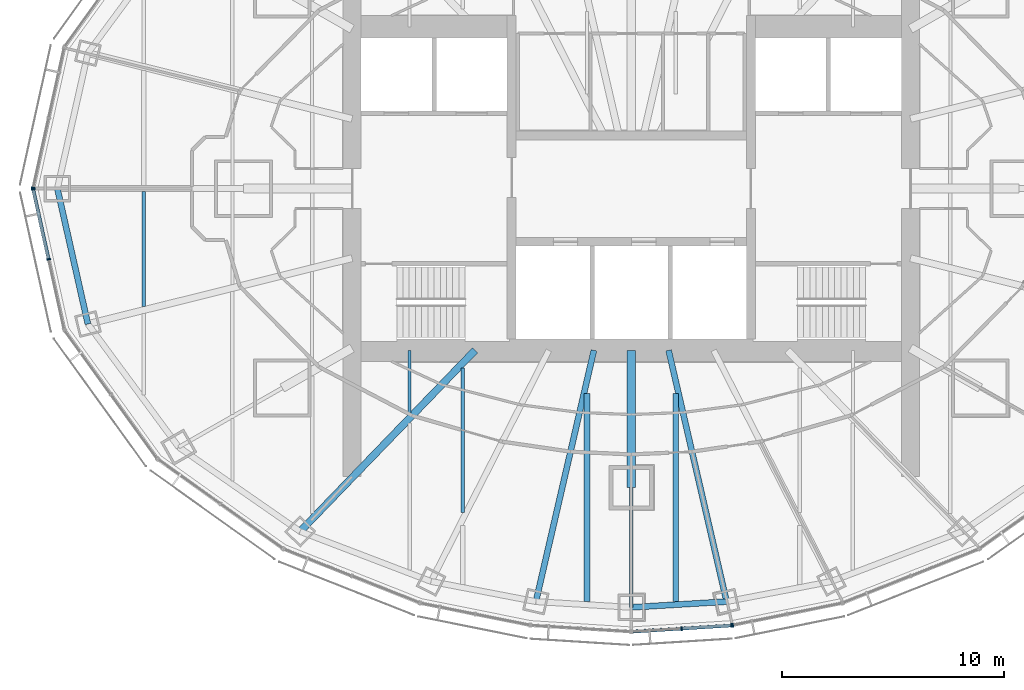
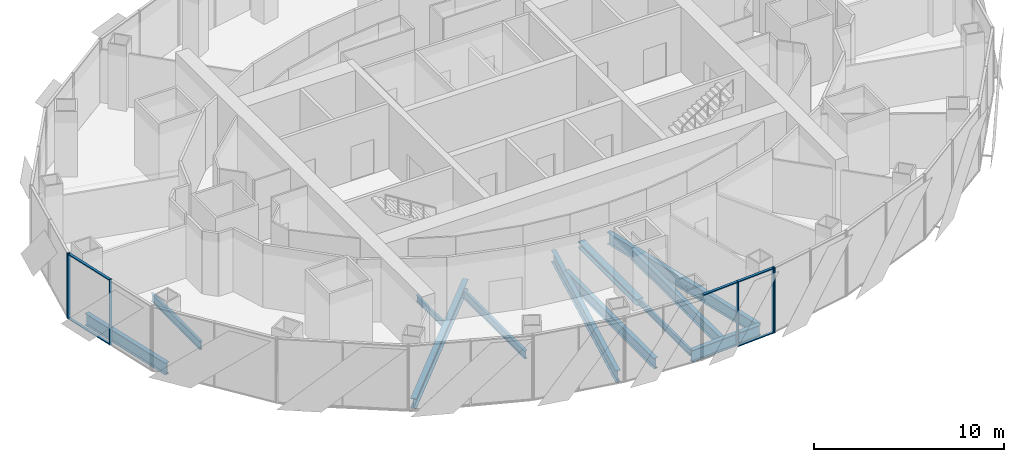
# One storey, part 3 of 17: 12 beams, 11 members, 4 elements without a shape of their own.
"""IFC4 building model written with IfcOpenShell, lengths in metres."""

from ifc_helpers import new_model, si_unit, direction, frame, origin, origin_2d, place, context, subcontext, project, spatial, rectangle, i_section, extrude, material, material_profile, profile_set, type_object, element, aggregate, save


model = new_model("IFC4")

# Units and contexts
model_context = context("Model", 3, precision=1e-05, world=origin(), true_north=direction((0.0, 1.0)))
body_context = subcontext(model_context, "Body", "Model", "MODEL_VIEW")
ifc_project = project(units=[si_unit("LENGTHUNIT", "METRE"), si_unit("AREAUNIT", "SQUARE_METRE"), si_unit("VOLUMEUNIT", "CUBIC_METRE"), si_unit("PLANEANGLEUNIT", "RADIAN"), si_unit("MASSUNIT", "GRAM", prefix="KILO")], contexts=[model_context])

# Site, building, storey
site_placement = place(None, origin())
site = spatial("IfcSite", under=ifc_project, at=site_placement, CompositionType="ELEMENT")
building_placement = place(site_placement, origin())
building = spatial("IfcBuilding", under=site, at=building_placement, Name="Lantaw Convention Tower", CompositionType="ELEMENT")
storey_placement = place(building_placement, frame((0.0, 0.0, 220.0)))
storey = spatial("IfcBuildingStorey", under=building, at=storey_placement, Name="L51", CompositionType="ELEMENT", Elevation=220.0)

# Beams
ifc_material_1 = material(Name="Steel ASTM A992", Category="steel")
ifc_material_profile_1 = material_profile(ifc_material_1, i_section(OverallWidth=0.2666015625, OverallDepth=0.76953125, WebThickness=0.015625, FlangeThickness=0.025390625, FilletRadius=0.0126953125, at=origin_2d()), Name="W30X132")
ifc_profile_set_1 = profile_set([ifc_material_profile_1], Name="Steel ASTM A992")
beam_type_1 = type_object("IfcBeamType", Name="Beam E W30X132", PredefinedType="SPANDREL", material=ifc_profile_set_1)
beam_1_placement = place(storey_placement, frame((-25.89990234375, 0.0, -0.534912109375), z_axis=(0.219857926596, -0.97553190215, 0.0), x_axis=(0.97553190215, 0.219857926596, 0.0)))
element("IfcBeam", 1, at=beam_1_placement, inside=storey, type_object=beam_type_1, Name="Edge beam 13", PredefinedType="SPANDREL", context=body_context, shape_type="SweptSolid", body=[
    extrude(i_section(OverallWidth=0.2666015625, OverallDepth=0.76953125, WebThickness=0.015625, FlangeThickness=0.025390625, FilletRadius=0.0126953125, at=origin_2d()), origin(), (0.0, 0.0, 1.0), 6.267333984375),
])
beam_2_placement = place(storey_placement, frame((0.0, -18.89990234375, -0.534912109375), z_axis=(0.998210730897, 0.059794119452, 0.0), x_axis=(-0.059794119452, 0.998210730897, 0.0)))
element("IfcBeam", 2, at=beam_2_placement, inside=storey, type_object=beam_type_1, Name="Edge beam 19", PredefinedType="SPANDREL", context=body_context, shape_type="SweptSolid", body=[
    extrude(i_section(OverallWidth=0.2666015625, OverallDepth=0.76953125, WebThickness=0.015625, FlangeThickness=0.025390625, FilletRadius=0.0126953125, at=origin_2d()), origin(), (0.0, 0.0, 1.0), 4.311767578125),
])
ifc_material_profile_2 = material_profile(ifc_material_1, i_section(OverallWidth=0.140380859375, OverallDepth=0.40380859375, WebThickness=0.007080078125, FlangeThickness=0.01123046875, FilletRadius=0.01025390625, at=origin_2d()), Name="W16X31")
ifc_profile_set_2 = profile_set([ifc_material_profile_2], Name="Steel ASTM A992")
beam_type_2 = type_object("IfcBeamType", Name="Beam G W16X31", PredefinedType="BEAM", material=ifc_profile_set_2)
beam_3_placement = place(storey_placement, frame((0.0, -13.5, -0.35205078125), z_axis=(0.0, -1.0, 0.0), x_axis=(1.0, 0.0, 0.0)))
element("IfcBeam", 3, at=beam_3_placement, inside=storey, type_object=beam_type_2, Name="Floor girder on ray 19", PredefinedType="BEAM", context=body_context, shape_type="SweptSolid", body=[
    extrude(i_section(OverallWidth=0.140380859375, OverallDepth=0.40380859375, WebThickness=0.007080078125, FlangeThickness=0.01123046875, FilletRadius=0.01025390625, at=origin_2d()), origin(), (0.0, 0.0, 1.0), 5.39990234375),
])
ifc_material_profile_3 = material_profile(ifc_material_1, i_section(OverallWidth=0.32763671875, OverallDepth=0.64013671875, WebThickness=0.01904296875, FlangeThickness=0.033935546875, FilletRadius=0.0126953125, at=origin_2d()), Name="W24X176")
ifc_profile_set_3 = profile_set([ifc_material_profile_3], Name="Steel ASTM A992")
beam_type_3 = type_object("IfcBeamType", Name="Beam G W24X176", PredefinedType="BEAM", material=ifc_profile_set_3)
beam_4_placement = place(storey_placement, frame((-7.049560546875, -7.300048828125, -0.469970703125), z_axis=(-0.694657766726, -0.719340383356, 0.0), x_axis=(0.719340383356, -0.694657766726, 0.0)))
element("IfcBeam", 4, at=beam_4_placement, inside=storey, type_object=beam_type_3, Name="Floor girder on ray 16", PredefinedType="BEAM", context=body_context, shape_type="SweptSolid", body=[
    extrude(i_section(OverallWidth=0.32763671875, OverallDepth=0.64013671875, WebThickness=0.01904296875, FlangeThickness=0.033935546875, FilletRadius=0.0126953125, at=origin_2d()), origin(), (0.0, 0.0, 1.0), 11.364990234375),
])
ifc_material_profile_4 = material_profile(ifc_material_1, i_section(OverallWidth=0.2666015625, OverallDepth=0.7568359375, WebThickness=0.013916015625, FlangeThickness=0.019287109375, FilletRadius=0.0126953125, at=origin_2d()), Name="W30X108")
ifc_profile_set_4 = profile_set([ifc_material_profile_4], Name="Steel ASTM A992")
beam_type_4 = type_object("IfcBeamType", Name="Beam G W30X108", PredefinedType="BEAM", material=ifc_profile_set_4)
for number, where, z_axis, x_axis, name in (
    (5, (-1.685302734375, -7.300048828125, -0.528564453125), (-0.224962134377, -0.974367506692, 0.0), (0.974367506692, -0.224962134377, 0.0), "Floor girder on ray 18"),
    (6, (1.685302734375, -7.300048828125, -0.528564453125), (0.224962134377, -0.974367506692, 0.0), (0.974367506692, 0.224962134377, 0.0), "Floor girder on ray 20"),
):
    element("IfcBeam", number, at=place(storey_placement, frame(where, z_axis=z_axis, x_axis=x_axis)), inside=storey, type_object=beam_type_4, Name=name, PredefinedType="BEAM", context=body_context, shape_type="SweptSolid", body=[
        extrude(i_section(OverallWidth=0.2666015625, OverallDepth=0.7568359375, WebThickness=0.013916015625, FlangeThickness=0.019287109375, FilletRadius=0.0126953125, at=origin_2d()), origin(), (0.0, 0.0, 1.0), 11.640380859375),
    ])
ifc_material_profile_5 = material_profile(ifc_material_1, i_section(OverallWidth=0.40380859375, OverallDepth=0.406494140625, WebThickness=0.027099609375, FlangeThickness=0.043701171875, FilletRadius=0.01513671875, at=origin_2d()), Name="W14X233")
ifc_profile_set_5 = profile_set([ifc_material_profile_5], Name="Steel ASTM A992")
beam_type_5 = type_object("IfcBeamType", Name="Beam GM W14X233", PredefinedType="BEAM", material=ifc_profile_set_5)
beam_5_placement = place(storey_placement, frame((0.0, -7.300048828125, -0.353271484375), z_axis=(0.0, -1.0, 0.0), x_axis=(1.0, 0.0, 0.0)))
element("IfcBeam", 7, at=beam_5_placement, inside=storey, type_object=beam_type_5, Name="Core link beam on ray 19", PredefinedType="BEAM", context=body_context, shape_type="SweptSolid", body=[
    extrude(i_section(OverallWidth=0.40380859375, OverallDepth=0.406494140625, WebThickness=0.027099609375, FlangeThickness=0.043701171875, FilletRadius=0.01513671875, at=origin_2d()), origin(), (0.0, 0.0, 1.0), 6.199951171875),
])
ifc_material_profile_6 = material_profile(ifc_material_1, i_section(OverallWidth=0.140380859375, OverallDepth=0.40380859375, WebThickness=0.007080078125, FlangeThickness=0.01123046875, FilletRadius=0.01025390625, at=origin_2d()), Name="W16X31")
ifc_profile_set_6 = profile_set([ifc_material_profile_6], Name="Steel ASTM A992")
beam_type_6 = type_object("IfcBeamType", Name="Beam J W16X31", PredefinedType="JOIST", material=ifc_profile_set_6)
beam_6_placement = place(storey_placement, frame((-10.0, -10.119384765625, -0.35205078125), z_axis=(0.0, 1.0, 0.0), x_axis=(-1.0, 0.0, 0.0)))
element("IfcBeam", 8, at=beam_6_placement, inside=storey, type_object=beam_type_6, Name="Floor joist", PredefinedType="JOIST", context=body_context, shape_type="SweptSolid", body=[
    extrude(i_section(OverallWidth=0.140380859375, OverallDepth=0.40380859375, WebThickness=0.007080078125, FlangeThickness=0.01123046875, FilletRadius=0.01025390625, at=origin_2d()), origin(), (0.0, 0.0, 1.0), 2.8193359375),
])
ifc_material_profile_7 = material_profile(ifc_material_1, i_section(OverallWidth=0.1650390625, OverallDepth=0.52587890625, WebThickness=0.0087890625, FlangeThickness=0.011474609375, FilletRadius=0.0126953125, at=origin_2d()), Name="W21X44")
ifc_profile_set_7 = profile_set([ifc_material_profile_7], Name="Steel ASTM A992")
beam_type_7 = type_object("IfcBeamType", Name="Beam J W21X44", PredefinedType="JOIST", material=ifc_profile_set_7)
beam_7_placement = place(storey_placement, frame((-22.0, -5.326904296875, -0.412841796875), z_axis=(0.0, 1.0, 0.0), x_axis=(-1.0, 0.0, 0.0)))
element("IfcBeam", 9, at=beam_7_placement, inside=storey, type_object=beam_type_7, Name="Floor joist", PredefinedType="JOIST", context=body_context, shape_type="SweptSolid", body=[
    extrude(i_section(OverallWidth=0.1650390625, OverallDepth=0.52587890625, WebThickness=0.0087890625, FlangeThickness=0.011474609375, FilletRadius=0.0126953125, at=origin_2d()), origin(), (0.0, 0.0, 1.0), 5.199951171875),
])
beam_8_placement = place(storey_placement, frame((-7.60009765625, -14.6220703125, -0.412841796875), z_axis=(0.0, 1.0, 0.0), x_axis=(-1.0, 0.0, 0.0)))
element("IfcBeam", 10, at=beam_8_placement, inside=storey, type_object=beam_type_7, Name="Floor joist", PredefinedType="JOIST", context=body_context, shape_type="SweptSolid", body=[
    extrude(i_section(OverallWidth=0.1650390625, OverallDepth=0.52587890625, WebThickness=0.0087890625, FlangeThickness=0.011474609375, FilletRadius=0.0126953125, at=origin_2d()), origin(), (0.0, 0.0, 1.0), 6.51611328125),
])
ifc_material_profile_8 = material_profile(ifc_material_1, i_section(OverallWidth=0.25390625, OverallDepth=0.683349609375, WebThickness=0.012451171875, FlangeThickness=0.01904296875, FilletRadius=0.01513671875, at=origin_2d()), Name="W27X94")
ifc_profile_set_8 = profile_set([ifc_material_profile_8], Name="Steel ASTM A992")
beam_type_8 = type_object("IfcBeamType", Name="Beam J W27X94", PredefinedType="JOIST", material=ifc_profile_set_8)
for number, where, z_axis, x_axis, name in (
    (11, (-2.0, -18.646484375, -0.49169921875), (0.0, 1.0, 0.0), (-1.0, 0.0, 0.0), "Floor joist"),
    (12, (2.0, -18.646484375, -0.49169921875), (0.0, 1.0, 0.0), (-1.0, 0.0, 0.0), "Floor joist"),
):
    element("IfcBeam", number, at=place(storey_placement, frame(where, z_axis=z_axis, x_axis=x_axis)), inside=storey, type_object=beam_type_8, Name=name, PredefinedType="JOIST", context=body_context, shape_type="SweptSolid", body=[
        extrude(i_section(OverallWidth=0.25390625, OverallDepth=0.683349609375, WebThickness=0.012451171875, FlangeThickness=0.01904296875, FilletRadius=0.01513671875, at=origin_2d()), origin(), (0.0, 0.0, 1.0), 9.390625),
    ])

# Curtain wall, member
ifc_material_2 = material(Name="Aluminium framed curtain wall", Category="aluminium")
curtain_wall_type = type_object("IfcCurtainWallType", Name="Office curtain wall high rise, pale aluminium", PredefinedType="USERDEFINED", material=ifc_material_2)
curtain_wall_1_placement = place(storey_placement, origin())
curtain_wall_1 = element("IfcCurtainWall", 13, at=curtain_wall_1_placement, inside=storey, type_object=curtain_wall_type, Name="Office curtain wall high rise, pale aluminium L51", ObjectType="UNITISED CURTAIN WALL", PredefinedType="USERDEFINED")
ifc_material_3 = material(Name="Aluminium 6063-T6", Category="aluminium")
ifc_material_profile_9 = material_profile(ifc_material_3, rectangle(XDim=0.179931640625, YDim=0.06494140625, at=origin_2d()), Name="CW-O2 mullion 65x180")
ifc_profile_set_9 = profile_set([ifc_material_profile_9], Name="Aluminium 6063-T6")
member_type_1 = type_object("IfcMemberType", Name="CW-O2 mullion 65x180", PredefinedType="MULLION", material=ifc_profile_set_9)
member_1_placement = place(storey_placement, frame((-26.992919921875, 0.03173828125, -0.14990234375), z_axis=(0.0, 0.0, 1.0), x_axis=(0.976417396437, -0.215891333626, 0.0)))
member_1 = element("IfcMember", 14, at=member_1_placement, type_object=member_type_1, Name="CW-O2 mullion 3", PredefinedType="MULLION", context=body_context, shape_type="SweptSolid", body=[
    extrude(rectangle(XDim=0.179931640625, YDim=0.06494140625, at=origin_2d()), origin(), (0.0, 0.0, 1.0), 4.199951171875),
])
aggregate(curtain_wall_1, [member_1])

# Curtain wall, members
curtain_wall_2_placement = place(storey_placement, origin())
curtain_wall_2 = element("IfcCurtainWall", 15, at=curtain_wall_2_placement, inside=storey, type_object=curtain_wall_type, Name="Office curtain wall high rise, pale aluminium L51", ObjectType="UNITISED CURTAIN WALL", PredefinedType="USERDEFINED")
member_2_placement = place(storey_placement, frame((-26.992919921875, -0.03173828125, -0.14990234375), z_axis=(0.0, 0.0, 1.0), x_axis=(0.976417396437, 0.215891333626, 0.0)))
member_2 = element("IfcMember", 16, at=member_2_placement, type_object=member_type_1, Name="CW-O2 mullion 1", PredefinedType="MULLION", context=body_context, shape_type="SweptSolid", body=[
    extrude(rectangle(XDim=0.179931640625, YDim=0.06494140625, at=origin_2d()), origin(), (0.0, 0.0, 1.0), 4.199951171875),
])
member_3_placement = place(storey_placement, frame((-26.294677734375, -3.190185546875, -0.14990234375), z_axis=(0.0, 0.0, 1.0), x_axis=(0.976417396437, 0.215891333626, 0.0)))
member_3 = element("IfcMember", 17, at=member_3_placement, type_object=member_type_1, Name="CW-O2 mullion 2", PredefinedType="MULLION", context=body_context, shape_type="SweptSolid", body=[
    extrude(rectangle(XDim=0.179931640625, YDim=0.06494140625, at=origin_2d()), origin(), (0.0, 0.0, 1.0), 4.199951171875),
])

curtain_wall_3_placement = place(storey_placement, origin())
curtain_wall_3 = element("IfcCurtainWall", 18, at=curtain_wall_3_placement, inside=storey, type_object=curtain_wall_type, Name="Office curtain wall high rise, pale aluminium L51", ObjectType="UNITISED CURTAIN WALL", PredefinedType="USERDEFINED")
member_4_placement = place(storey_placement, frame((2.275634765625, -19.85693359375, -0.14990234375), z_axis=(0.0, 0.0, 1.0), x_axis=(-0.062757983884, 0.998028774865, 0.0)))
member_4 = element("IfcMember", 19, at=member_4_placement, type_object=member_type_1, Name="CW-O2 mullion 2", PredefinedType="MULLION", context=body_context, shape_type="SweptSolid", body=[
    extrude(rectangle(XDim=0.179931640625, YDim=0.06494140625, at=origin_2d()), origin(), (0.0, 0.0, 1.0), 4.199951171875),
])
member_5_placement = place(storey_placement, frame((4.518798828125, -19.7158203125, -0.14990234375), z_axis=(0.0, 0.0, 1.0), x_axis=(-0.062757983884, 0.998028774865, 0.0)))
member_5 = element("IfcMember", 20, at=member_5_placement, type_object=member_type_1, Name="CW-O2 mullion 3", PredefinedType="MULLION", context=body_context, shape_type="SweptSolid", body=[
    extrude(rectangle(XDim=0.179931640625, YDim=0.06494140625, at=origin_2d()), origin(), (0.0, 0.0, 1.0), 4.199951171875),
])

# Curtain wall, member
curtain_wall_4_placement = place(storey_placement, origin())
curtain_wall_4 = element("IfcCurtainWall", 21, at=curtain_wall_4_placement, inside=storey, type_object=curtain_wall_type, Name="Office curtain wall high rise, pale aluminium L51", ObjectType="UNITISED CURTAIN WALL", PredefinedType="USERDEFINED")
member_6_placement = place(storey_placement, frame((4.583251953125, -19.70751953125, -0.14990234375), z_axis=(0.0, 0.0, 1.0), x_axis=(-0.197183095987, 0.980366679695, 0.0)))
member_6 = element("IfcMember", 22, at=member_6_placement, type_object=member_type_1, Name="CW-O2 mullion 1", PredefinedType="MULLION", context=body_context, shape_type="SweptSolid", body=[
    extrude(rectangle(XDim=0.179931640625, YDim=0.06494140625, at=origin_2d()), origin(), (0.0, 0.0, 1.0), 4.199951171875),
])
aggregate(curtain_wall_4, [member_6])

# Member
ifc_material_profile_10 = material_profile(ifc_material_3, rectangle(XDim=0.14990234375, YDim=0.06494140625, at=origin_2d()), Name="CW-O2 transom 65x150")
ifc_profile_set_10 = profile_set([ifc_material_profile_10], Name="Aluminium 6063-T6")
member_type_2 = type_object("IfcMemberType", Name="CW-O2 transom 65x150", PredefinedType="USERDEFINED", material=ifc_profile_set_10)
member_7_placement = place(storey_placement, frame((-26.986083984375, -0.0634765625, -0.117431640625), z_axis=(0.215894607042, -0.976416672661, 0.0), x_axis=(0.976416672661, 0.215894607042, 0.0)))
member_7 = element("IfcMember", 23, at=member_7_placement, type_object=member_type_2, Name="CW-O2 transom 1.1", ObjectType="TRANSOM", PredefinedType="USERDEFINED", context=body_context, shape_type="SweptSolid", body=[
    extrude(rectangle(XDim=0.14990234375, YDim=0.06494140625, at=origin_2d()), origin(), (0.0, 0.0, 1.0), 3.169677734375),
])

member_8_placement = place(storey_placement, frame((-26.986083984375, -0.0634765625, 4.017578125), z_axis=(0.215894607042, -0.976416672661, 0.0), x_axis=(0.976416672661, 0.215894607042, 0.0)))
member_8 = element("IfcMember", 24, at=member_8_placement, type_object=member_type_2, Name="CW-O2 transom 1.2", ObjectType="TRANSOM", PredefinedType="USERDEFINED", context=body_context, shape_type="SweptSolid", body=[
    extrude(rectangle(XDim=0.14990234375, YDim=0.06494140625, at=origin_2d()), origin(), (0.0, 0.0, 1.0), 3.169677734375),
])

aggregate(curtain_wall_2, [member_2, member_3, member_7, member_8])

member_9_placement = place(storey_placement, frame((0.06494140625, -19.995849609375, 4.017578125), z_axis=(0.998029003644, 0.062754345555, 0.0), x_axis=(-0.062754345555, 0.998029003644, 0.0)))
member_9 = element("IfcMember", 25, at=member_9_placement, type_object=member_type_2, Name="CW-O2 transom 1.2", ObjectType="TRANSOM", PredefinedType="USERDEFINED", context=body_context, shape_type="SweptSolid", body=[
    extrude(rectangle(XDim=0.14990234375, YDim=0.06494140625, at=origin_2d()), origin(), (0.0, 0.0, 1.0), 2.1826171875),
])

member_10_placement = place(storey_placement, frame((2.30810546875, -19.85498046875, -0.117431640625), z_axis=(0.998021991509, 0.062865765437, 0.0), x_axis=(-0.062865765437, 0.998021991509, 0.0)))
member_10 = element("IfcMember", 26, at=member_10_placement, type_object=member_type_2, Name="CW-O2 transom 2.1", ObjectType="TRANSOM", PredefinedType="USERDEFINED", context=body_context, shape_type="SweptSolid", body=[
    extrude(rectangle(XDim=0.14990234375, YDim=0.06494140625, at=origin_2d()), origin(), (0.0, 0.0, 1.0), 2.1826171875),
])

member_11_placement = place(storey_placement, frame((2.30810546875, -19.85498046875, 4.017578125), z_axis=(0.998021991509, 0.062865765437, 0.0), x_axis=(-0.062865765437, 0.998021991509, 0.0)))
member_11 = element("IfcMember", 27, at=member_11_placement, type_object=member_type_2, Name="CW-O2 transom 2.2", ObjectType="TRANSOM", PredefinedType="USERDEFINED", context=body_context, shape_type="SweptSolid", body=[
    extrude(rectangle(XDim=0.14990234375, YDim=0.06494140625, at=origin_2d()), origin(), (0.0, 0.0, 1.0), 2.1826171875),
])

aggregate(curtain_wall_3, [member_4, member_5, member_9, member_10, member_11])

save(model, "model.ifc")
